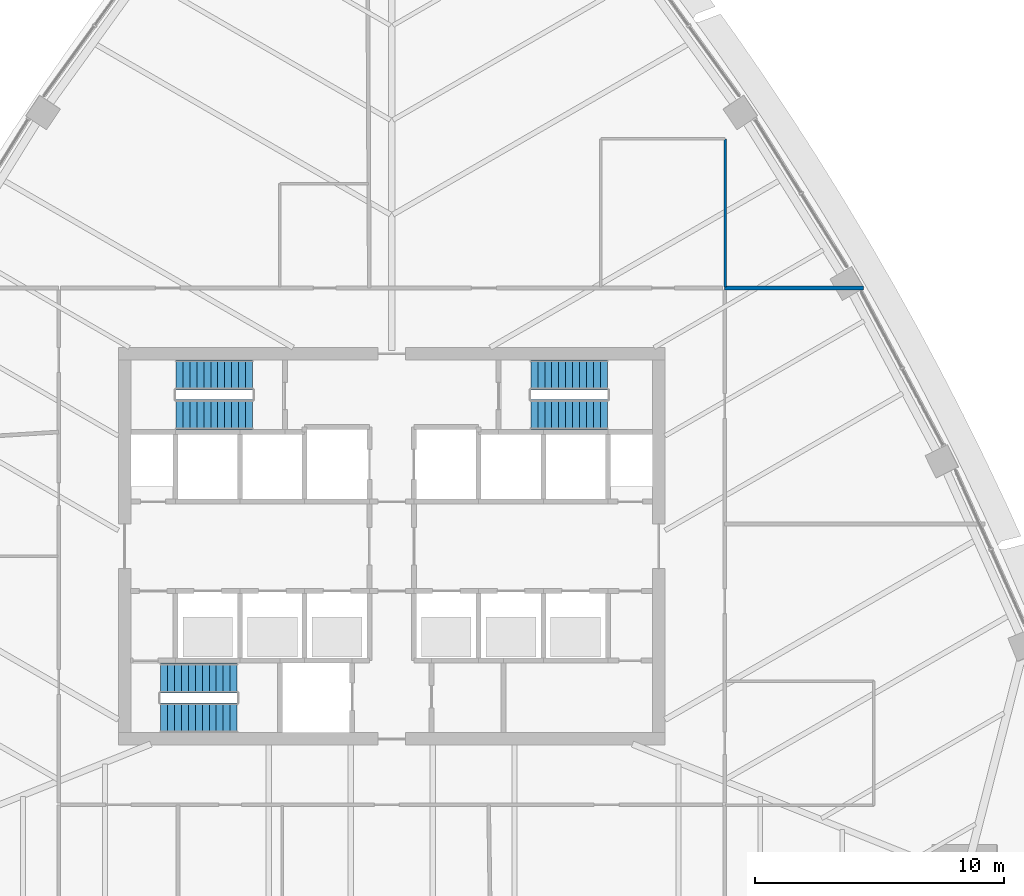
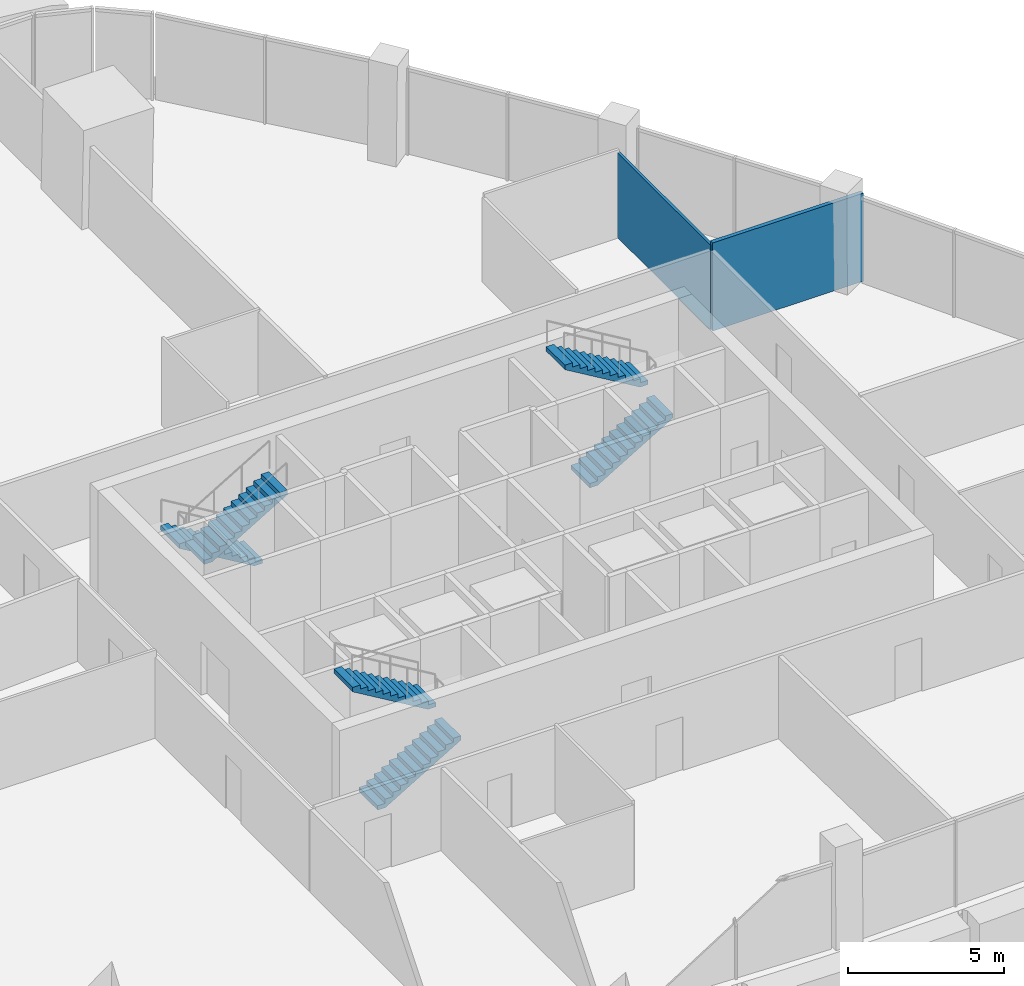
# One storey, part 12 of 16: 6 stair flights, 2 walls, 3 elements without a shape of their own.
"""IFC4 building model written with IfcOpenShell, lengths in metres."""

from ifc_helpers import new_model, si_unit, direction, frame, frame_2d, origin, place, context, subcontext, project, spatial, polyline, rectangle, outline, extrude, material, layer, layer_set, type_object, element, aggregate, save


model = new_model("IFC4")

# Units and contexts
model_context = context("Model", 3, precision=1e-05, world=origin(), true_north=direction((0.0, 1.0)))
body_context = subcontext(model_context, "Body", "Model", "MODEL_VIEW")
ifc_project = project(units=[si_unit("LENGTHUNIT", "METRE"), si_unit("AREAUNIT", "SQUARE_METRE"), si_unit("VOLUMEUNIT", "CUBIC_METRE"), si_unit("PLANEANGLEUNIT", "RADIAN"), si_unit("MASSUNIT", "GRAM", prefix="KILO")], contexts=[model_context])

# Site, building, storey
site_placement = place(None, origin())
site = spatial("IfcSite", under=ifc_project, at=site_placement, CompositionType="ELEMENT")
building_placement = place(site_placement, origin())
building = spatial("IfcBuilding", under=site, at=building_placement, Name="Sierra Prisma Convention Tower", CompositionType="ELEMENT")
storey_placement = place(building_placement, frame((0.0, 0.0, 197.800048828125)))
storey = spatial("IfcBuildingStorey", under=building, at=storey_placement, Name="L44", CompositionType="ELEMENT", Elevation=197.800048828125)

# Walls
ifc_material_1 = material(Name="Gypsum board partition", Category="gypsum")
ifc_layer_1 = layer(ifc_material_1, 0.10009765625)
ifc_layer_set_1 = layer_set([ifc_layer_1], Name="Bathroom partition 100")
wall_type_1 = type_object("IfcWallType", Name="Bathroom partition 100", PredefinedType="PARTITIONING", material=ifc_layer_set_1)
wall_1_placement = place(storey_placement, frame((13.419921875, 16.39990234375, 0.0), z_axis=(0.0, 0.0, 1.0), x_axis=(0.0, -1.0, 0.0)))
element("IfcWall", 1, at=wall_1_placement, inside=storey, type_object=wall_type_1, Name="Partition L44 bath 9", PredefinedType="PARTITIONING", context=body_context, shape_type="SweptSolid", body=[
    extrude(rectangle(XDim=5.969970703125, YDim=0.10009765625, at=frame_2d((2.98486328125, 0.0))), origin(), (0.0, 0.0, 1.0), 3.31689453125),
])
ifc_material_2 = material(Name="Gypsum board partition", Category="gypsum")
ifc_layer_2 = layer(ifc_material_2, 0.14990234375)
ifc_layer_set_2 = layer_set([ifc_layer_2], Name="Party wall 150 gypsum")
wall_type_2 = type_object("IfcWallType", Name="Party wall 150 gypsum", PredefinedType="PARTITIONING", material=ifc_layer_set_2)
wall_2_placement = place(storey_placement, frame((13.39990234375, 10.39990234375, 0.0), z_axis=(0.0, 0.0, 1.0), x_axis=(1.0, 0.0, 0.0)))
element("IfcWall", 2, at=wall_2_placement, inside=storey, type_object=wall_type_2, Name="Partition L44 party 9", PredefinedType="PARTITIONING", context=body_context, shape_type="SweptSolid", body=[
    extrude(rectangle(XDim=5.58203125, YDim=0.14990234375, at=frame_2d((2.791015625, 0.0))), origin(), (0.0, 0.0, 1.0), 3.449951171875),
])

# Stair, stair flights
ifc_material_3 = material(Name="Concrete C30/37", Category="concrete")
stair_type = type_object("IfcStairType", Name="Stair dog-leg 1200 RC", PredefinedType="HALF_TURN_STAIR", material=ifc_material_3)
stair_1_placement = place(storey_placement, origin())
stair_1 = element("IfcStair", 3, at=stair_1_placement, inside=storey, type_object=stair_type, Name="L44 S1", PredefinedType="HALF_TURN_STAIR")
ifc_material_4 = material(Name="Concrete C30/37", Category="concrete")
stair_flight_type = type_object("IfcStairFlightType", Name="Stair flight RC 1200", PredefinedType="STRAIGHT", material=ifc_material_4)
stair_flight_1_placement = place(storey_placement, frame((-9.300048828125, -6.89990234375, 0.0), z_axis=(0.0, 0.0, 1.0), x_axis=(1.0, 0.0, 0.0)))
stair_flight_1 = element("IfcStairFlight", 4, at=stair_flight_1_placement, type_object=stair_flight_type, Name="S1 flight 1", NumberOfRisers=12, NumberOfTreads=11, PredefinedType="STRAIGHT", RiserHeight=0.166666667, TreadLength=0.28, context=body_context, shape_type="SweptSolid", body=[
    extrude(outline(polyline([(0.0, 0.0), (0.0, 0.166748046875), (0.280029296875, 0.166748046875), (0.280029296875, 0.333251953125), (0.56005859375, 0.333251953125), (0.56005859375, 0.5), (0.840087890625, 0.5), (0.840087890625, 0.666748046875), (1.1201171875, 0.666748046875), (1.1201171875, 0.833251953125), (1.39990234375, 0.833251953125), (1.39990234375, 1.0), (1.679931640625, 1.0), (1.679931640625, 1.166748046875), (1.9599609375, 1.166748046875), (1.9599609375, 1.333251953125), (2.239990234375, 1.333251953125), (2.239990234375, 1.5), (2.52001953125, 1.5), (2.52001953125, 1.666748046875), (2.800048828125, 1.666748046875), (2.800048828125, 1.833251953125), (3.080078125, 1.833251953125), (3.080078125, 2.0), (3.080078125, 1.658935546875), (0.29296875, 0.0), (0.0, 0.0)])), frame((0.0, 0.60009765625, 0.0), z_axis=(0.0, -1.0, 0.0), x_axis=(1.0, 0.0, 0.0)), (0.0, 0.0, 1.0), 1.199951171875),
])
stair_flight_2_placement = place(storey_placement, frame((-6.219970703125, -5.300048828125, 2.0), z_axis=(0.0, 0.0, 1.0), x_axis=(-1.0, 0.0, 0.0)))
stair_flight_2 = element("IfcStairFlight", 5, at=stair_flight_2_placement, type_object=stair_flight_type, Name="S1 flight 2", NumberOfRisers=12, NumberOfTreads=11, PredefinedType="STRAIGHT", RiserHeight=0.166666667, TreadLength=0.28, context=body_context, shape_type="SweptSolid", body=[
    extrude(outline(polyline([(0.0, 0.0), (0.0, 0.166748046875), (0.280029296875, 0.166748046875), (0.280029296875, 0.333251953125), (0.56005859375, 0.333251953125), (0.56005859375, 0.5), (0.840087890625, 0.5), (0.840087890625, 0.666748046875), (1.1201171875, 0.666748046875), (1.1201171875, 0.833251953125), (1.39990234375, 0.833251953125), (1.39990234375, 1.0), (1.679931640625, 1.0), (1.679931640625, 1.166748046875), (1.9599609375, 1.166748046875), (1.9599609375, 1.333251953125), (2.239990234375, 1.333251953125), (2.239990234375, 1.5), (2.52001953125, 1.5), (2.52001953125, 1.666748046875), (2.800048828125, 1.666748046875), (2.800048828125, 1.833251953125), (3.080078125, 1.833251953125), (3.080078125, 2.0), (3.080078125, 1.658935546875), (0.29296875, 0.0), (0.0, 0.0)])), frame((0.0, 0.60009765625, 0.0), z_axis=(0.0, -1.0, 0.0), x_axis=(1.0, 0.0, 0.0)), (0.0, 0.0, 1.0), 1.199951171875),
])
aggregate(stair_1, [stair_flight_1, stair_flight_2])

stair_2_placement = place(storey_placement, origin())
stair_2 = element("IfcStair", 6, at=stair_2_placement, inside=storey, type_object=stair_type, Name="L44 S3", PredefinedType="HALF_TURN_STAIR")
stair_flight_3_placement = place(storey_placement, frame((-5.60009765625, 6.89990234375, 0.0), z_axis=(0.0, 0.0, 1.0), x_axis=(-1.0, 0.0, 0.0)))
stair_flight_3 = element("IfcStairFlight", 7, at=stair_flight_3_placement, type_object=stair_flight_type, Name="S3 flight 1", NumberOfRisers=12, NumberOfTreads=11, PredefinedType="STRAIGHT", RiserHeight=0.166666667, TreadLength=0.28, context=body_context, shape_type="SweptSolid", body=[
    extrude(outline(polyline([(0.0, 0.0), (0.0, 0.166748046875), (0.280029296875, 0.166748046875), (0.280029296875, 0.333251953125), (0.56005859375, 0.333251953125), (0.56005859375, 0.5), (0.840087890625, 0.5), (0.840087890625, 0.666748046875), (1.1201171875, 0.666748046875), (1.1201171875, 0.833251953125), (1.39990234375, 0.833251953125), (1.39990234375, 1.0), (1.679931640625, 1.0), (1.679931640625, 1.166748046875), (1.9599609375, 1.166748046875), (1.9599609375, 1.333251953125), (2.239990234375, 1.333251953125), (2.239990234375, 1.5), (2.52001953125, 1.5), (2.52001953125, 1.666748046875), (2.800048828125, 1.666748046875), (2.800048828125, 1.833251953125), (3.080078125, 1.833251953125), (3.080078125, 2.0), (3.080078125, 1.658935546875), (0.29296875, 0.0), (0.0, 0.0)])), frame((0.0, 0.60009765625, 0.0), z_axis=(0.0, -1.0, 0.0), x_axis=(1.0, 0.0, 0.0)), (0.0, 0.0, 1.0), 1.199951171875),
])
stair_flight_4_placement = place(storey_placement, frame((-8.679931640625, 5.300048828125, 2.0), z_axis=(0.0, 0.0, 1.0), x_axis=(1.0, 0.0, 0.0)))
stair_flight_4 = element("IfcStairFlight", 8, at=stair_flight_4_placement, type_object=stair_flight_type, Name="S3 flight 2", NumberOfRisers=12, NumberOfTreads=11, PredefinedType="STRAIGHT", RiserHeight=0.166666667, TreadLength=0.28, context=body_context, shape_type="SweptSolid", body=[
    extrude(outline(polyline([(0.0, 0.0), (0.0, 0.166748046875), (0.280029296875, 0.166748046875), (0.280029296875, 0.333251953125), (0.56005859375, 0.333251953125), (0.56005859375, 0.5), (0.840087890625, 0.5), (0.840087890625, 0.666748046875), (1.1201171875, 0.666748046875), (1.1201171875, 0.833251953125), (1.39990234375, 0.833251953125), (1.39990234375, 1.0), (1.679931640625, 1.0), (1.679931640625, 1.166748046875), (1.9599609375, 1.166748046875), (1.9599609375, 1.333251953125), (2.239990234375, 1.333251953125), (2.239990234375, 1.5), (2.52001953125, 1.5), (2.52001953125, 1.666748046875), (2.800048828125, 1.666748046875), (2.800048828125, 1.833251953125), (3.080078125, 1.833251953125), (3.080078125, 2.0), (3.080078125, 1.658935546875), (0.29296875, 0.0), (0.0, 0.0)])), frame((0.0, 0.60009765625, 0.0), z_axis=(0.0, -1.0, 0.0), x_axis=(1.0, 0.0, 0.0)), (0.0, 0.0, 1.0), 1.199951171875),
])
aggregate(stair_2, [stair_flight_3, stair_flight_4])

stair_3_placement = place(storey_placement, origin())
stair_3 = element("IfcStair", 9, at=stair_3_placement, inside=storey, type_object=stair_type, Name="L44 S4", PredefinedType="HALF_TURN_STAIR")
stair_flight_5_placement = place(storey_placement, frame((5.60009765625, 5.300048828125, 0.0), z_axis=(0.0, 0.0, 1.0), x_axis=(1.0, 0.0, 0.0)))
stair_flight_5 = element("IfcStairFlight", 10, at=stair_flight_5_placement, type_object=stair_flight_type, Name="S4 flight 1", NumberOfRisers=12, NumberOfTreads=11, PredefinedType="STRAIGHT", RiserHeight=0.166666667, TreadLength=0.28, context=body_context, shape_type="SweptSolid", body=[
    extrude(outline(polyline([(0.0, 0.0), (0.0, 0.166748046875), (0.280029296875, 0.166748046875), (0.280029296875, 0.333251953125), (0.56005859375, 0.333251953125), (0.56005859375, 0.5), (0.840087890625, 0.5), (0.840087890625, 0.666748046875), (1.1201171875, 0.666748046875), (1.1201171875, 0.833251953125), (1.39990234375, 0.833251953125), (1.39990234375, 1.0), (1.679931640625, 1.0), (1.679931640625, 1.166748046875), (1.9599609375, 1.166748046875), (1.9599609375, 1.333251953125), (2.239990234375, 1.333251953125), (2.239990234375, 1.5), (2.52001953125, 1.5), (2.52001953125, 1.666748046875), (2.800048828125, 1.666748046875), (2.800048828125, 1.833251953125), (3.080078125, 1.833251953125), (3.080078125, 2.0), (3.080078125, 1.658935546875), (0.29296875, 0.0), (0.0, 0.0)])), frame((0.0, 0.60009765625, 0.0), z_axis=(0.0, -1.0, 0.0), x_axis=(1.0, 0.0, 0.0)), (0.0, 0.0, 1.0), 1.199951171875),
])
stair_flight_6_placement = place(storey_placement, frame((8.679931640625, 6.89990234375, 2.0), z_axis=(0.0, 0.0, 1.0), x_axis=(-1.0, 0.0, 0.0)))
stair_flight_6 = element("IfcStairFlight", 11, at=stair_flight_6_placement, type_object=stair_flight_type, Name="S4 flight 2", NumberOfRisers=12, NumberOfTreads=11, PredefinedType="STRAIGHT", RiserHeight=0.166666667, TreadLength=0.28, context=body_context, shape_type="SweptSolid", body=[
    extrude(outline(polyline([(0.0, 0.0), (0.0, 0.166748046875), (0.280029296875, 0.166748046875), (0.280029296875, 0.333251953125), (0.56005859375, 0.333251953125), (0.56005859375, 0.5), (0.840087890625, 0.5), (0.840087890625, 0.666748046875), (1.1201171875, 0.666748046875), (1.1201171875, 0.833251953125), (1.39990234375, 0.833251953125), (1.39990234375, 1.0), (1.679931640625, 1.0), (1.679931640625, 1.166748046875), (1.9599609375, 1.166748046875), (1.9599609375, 1.333251953125), (2.239990234375, 1.333251953125), (2.239990234375, 1.5), (2.52001953125, 1.5), (2.52001953125, 1.666748046875), (2.800048828125, 1.666748046875), (2.800048828125, 1.833251953125), (3.080078125, 1.833251953125), (3.080078125, 2.0), (3.080078125, 1.658935546875), (0.29296875, 0.0), (0.0, 0.0)])), frame((0.0, 0.60009765625, 0.0), z_axis=(0.0, -1.0, 0.0), x_axis=(1.0, 0.0, 0.0)), (0.0, 0.0, 1.0), 1.199951171875),
])
aggregate(stair_3, [stair_flight_5, stair_flight_6])

save(model, "model.ifc")
